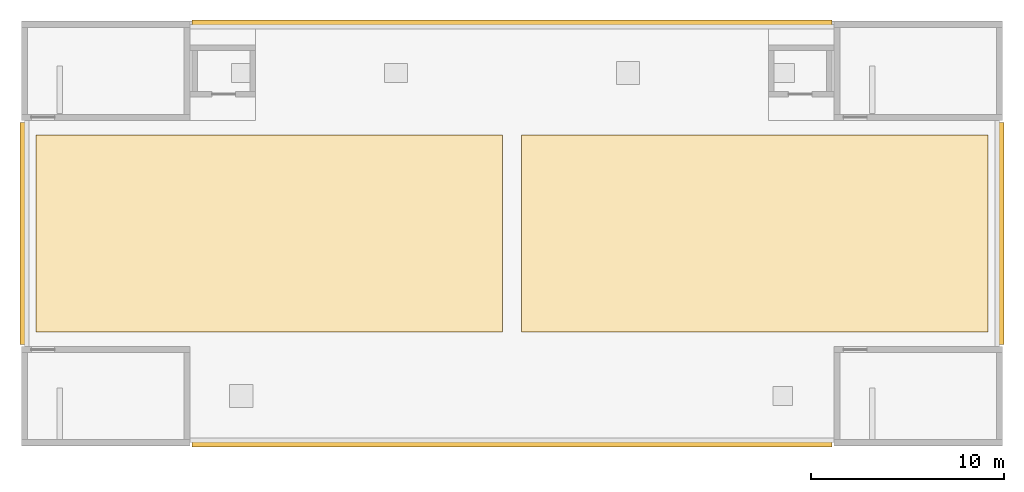
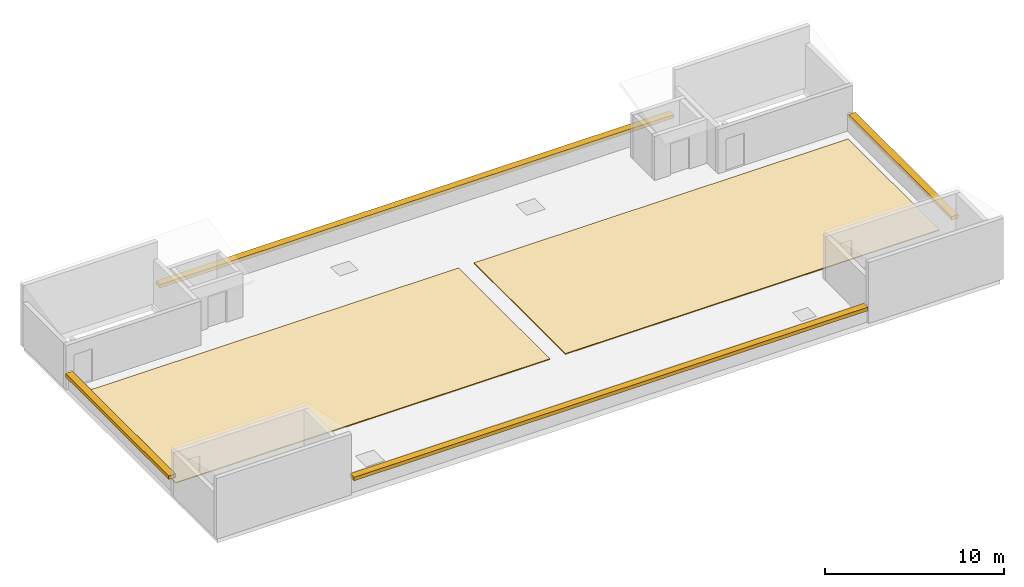
# One storey, part 2 of 2: 4 shading devices, 2 coverings.
"""IFC4 building model written with IfcOpenShell, lengths in metres."""

from ifc_helpers import new_model, si_unit, direction, frame, origin, origin_2d, place, context, subcontext, project, spatial, polyline, rectangle, outline, extrude, material, layer, layer_set, type_object, element, save


model = new_model("IFC4")

# Units and contexts
model_context = context("Model", 3, precision=1e-05, world=origin(), true_north=direction((0.0, 1.0)))
body_context = subcontext(model_context, "Body", "Model", "MODEL_VIEW")
ifc_project = project(units=[si_unit("LENGTHUNIT", "METRE"), si_unit("AREAUNIT", "SQUARE_METRE"), si_unit("VOLUMEUNIT", "CUBIC_METRE"), si_unit("PLANEANGLEUNIT", "RADIAN"), si_unit("MASSUNIT", "GRAM", prefix="KILO")], contexts=[model_context])

# Site, building, storey
site_placement = place(None, origin())
site = spatial("IfcSite", under=ifc_project, at=site_placement, CompositionType="ELEMENT")
building_placement = place(site_placement, origin())
building = spatial("IfcBuilding", under=site, at=building_placement, Name="Chengyuan Square Courthouse", CompositionType="ELEMENT")
storey_placement = place(building_placement, frame((0.0, 0.0, 73.199951171875)))
storey = spatial("IfcBuildingStorey", under=building, at=storey_placement, Name="RF", CompositionType="ELEMENT", Elevation=73.199951171875)

# Coverings
ifc_material_1 = material(Name="TPO Waterproof Membrane and Extruded Polystyrene Insulation")
ifc_layer = layer(ifc_material_1, 0.06005859375)
ifc_layer_set = layer_set([ifc_layer], Name="TPO Waterproof Membrane and Extruded Polystyrene Insulation")
covering_type = type_object("IfcCoveringType", Name="RFG-01", PredefinedType="ROOFING", material=ifc_layer_set)
covering_1_placement = place(storey_placement, origin())
element("IfcCovering", 1, at=covering_1_placement, inside=storey, type_object=covering_type, Name="Top-Floor Roof Waterproofing Membrane RFG-L16-01", PredefinedType="ROOFING", context=body_context, shape_type="SweptSolid", body=[
    extrude(outline(polyline([(59.39990234375, 92.10009765625), (83.5, 92.10009765625), (83.5, 102.300048828125), (59.39990234375, 102.300048828125), (59.39990234375, 92.10009765625)])), origin(), (0.0, 0.0, 1.0), 0.06005859375),
])
covering_2_placement = place(storey_placement, origin())
element("IfcCovering", 2, at=covering_2_placement, inside=storey, type_object=covering_type, Name="Top-Floor Roof Waterproofing Membrane RFG-L16-02", PredefinedType="ROOFING", context=body_context, shape_type="SweptSolid", body=[
    extrude(outline(polyline([(84.5, 92.10009765625), (108.60009765625, 92.10009765625), (108.60009765625, 102.300048828125), (84.5, 102.300048828125), (84.5, 92.10009765625)])), origin(), (0.0, 0.0, 1.0), 0.06005859375),
])

# Shading devices
ifc_material_2 = material(Name="Glulam TCt28 Crown Cornice Fascia", Category="wood")
shading_device_type = type_object("IfcShadingDeviceType", Name="SHD-06", PredefinedType="AWNING", material=ifc_material_2)
for number, where, z_axis, x_axis, name in (
    (3, (84.0, 86.3798828125, 0.9599609375), (0.0, 0.0, 1.0), (1.0, 0.0, 0.0), "Glulam Crown Cornice Fascia SHD-CRN-01"),
    (4, (84.0, 108.02001953125, 0.9599609375), (0.0, 0.0, 1.0), (1.0, 0.0, 0.0), "Glulam Crown Cornice Fascia SHD-CRN-02"),
):
    element("IfcShadingDevice", number, at=place(storey_placement, frame(where, z_axis=z_axis, x_axis=x_axis)), inside=storey, type_object=shading_device_type, Name=name, PredefinedType="AWNING", context=body_context, shape_type="SweptSolid", body=[
        extrude(rectangle(XDim=33.10009765625, YDim=0.43994140625, at=origin_2d()), origin(), (0.0, 0.0, 1.0), 0.239990234375),
    ])
for number, where, z_axis, x_axis, name in (
    (5, (58.780029296875, 97.199951171875, 0.9599609375), (0.0, 0.0, 1.0), (0.0, 1.0, 0.0), "Glulam Crown Cornice Fascia SHD-CRN-03"),
    (6, (109.219970703125, 97.199951171875, 0.9599609375), (0.0, 0.0, 1.0), (0.0, 1.0, 0.0), "Glulam Crown Cornice Fascia SHD-CRN-04"),
):
    element("IfcShadingDevice", number, at=place(storey_placement, frame(where, z_axis=z_axis, x_axis=x_axis)), inside=storey, type_object=shading_device_type, Name=name, PredefinedType="AWNING", context=body_context, shape_type="SweptSolid", body=[
        extrude(rectangle(XDim=11.5, YDim=0.43994140625, at=origin_2d()), origin(), (0.0, 0.0, 1.0), 0.239990234375),
    ])

save(model, "model.ifc")
